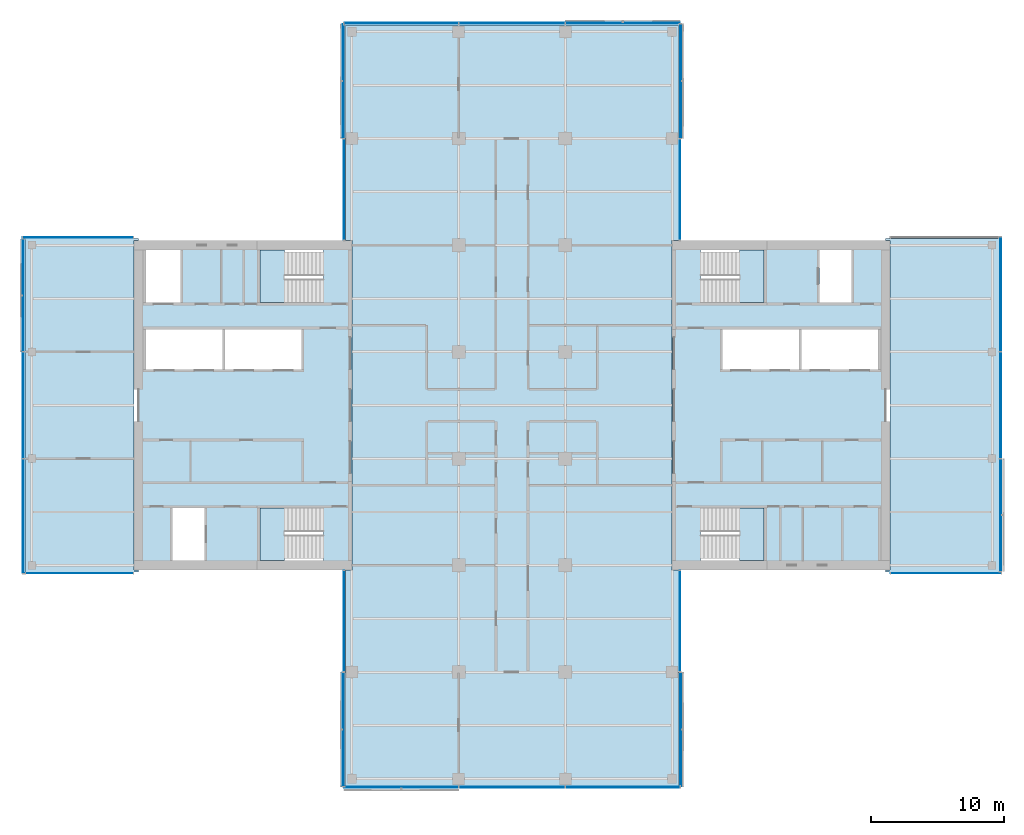
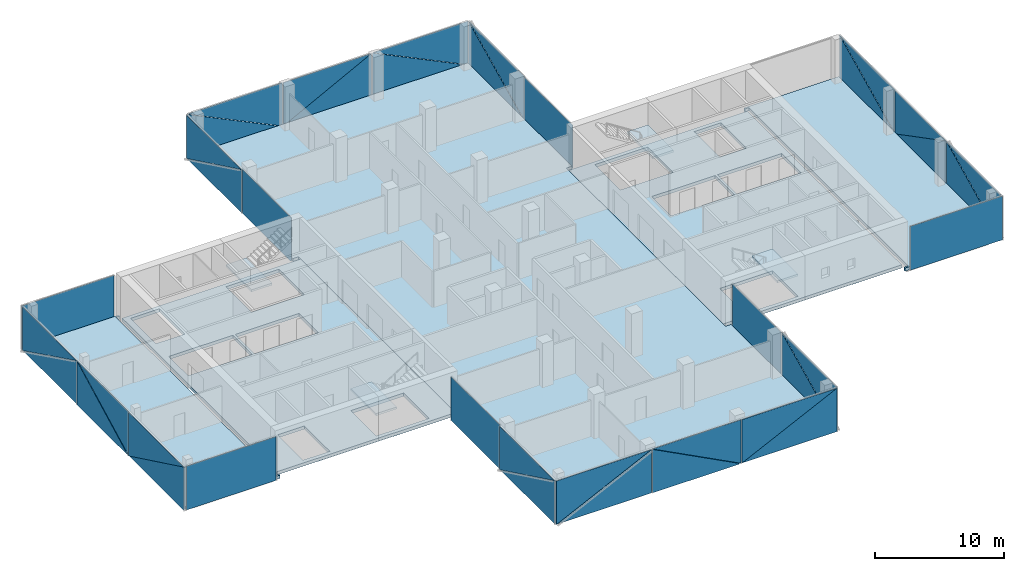
# One storey, part 12 of 22: 39 plates, 9 slabs, 19 elements without a shape of their own.
"""IFC4 building model written with IfcOpenShell, lengths in metres."""

import ifcopenshell
import ifcopenshell.guid

model = None  # the IFC model being written
_history = None  # IfcOwnerHistory: only IFC2X3 demands one
_inside = {}  # id of a spatial element -> (the spatial element, [elements in it])
_under = {}  # id of a project, library or spatial element -> (it, [spatial elements below it])
_declared = {}  # id of a project -> (the project, [libraries it declares])
_typed = {}  # id of a type object -> (the type object, [elements of that type])
_made_of = {}  # id of a material, layer set ... -> (it, [elements and type objects made of it])


def new_model(schema):
    """Start an empty IFC model of exactly this schema.

    Asked for "IFC4X3", IfcOpenShell would pick the latest addendum, in which some entities
    have other attributes; the version numbers below select the first issue.
    IFC2X3 requires an IfcOwnerHistory on every rooted entity: one is made here for all.
    """
    global model, _history
    if schema == "IFC4X3":
        model = ifcopenshell.file(schema_version=(4, 3, 0, 0))
    else:
        model = ifcopenshell.file(schema=schema)
    _inside.clear()
    _under.clear()
    _declared.clear()
    _typed.clear()
    _made_of.clear()
    _history = None
    if model.schema == "IFC2X3":
        org = make("IfcOrganization", Name="unknown")
        user = make(
            "IfcPersonAndOrganization",
            ThePerson=make("IfcPerson", FamilyName="unknown"),
            TheOrganization=org,
        )
        app = make(
            "IfcApplication",
            ApplicationDeveloper=org,
            Version="unknown",
            ApplicationFullName="unknown",
            ApplicationIdentifier="unknown",
        )
        _history = make(
            "IfcOwnerHistory",
            OwningUser=user,
            OwningApplication=app,
            ChangeAction="ADDED",
            CreationDate=0,
        )
    return model


def make(cls, **values):
    """One entity of the class cls with the attributes given. An attribute that is None is left unset."""
    return model.create_entity(
        cls, **{name: value for name, value in values.items() if value is not None}
    )


def rooted(cls, **values):
    """An entity with a GlobalId (a new one), such as an element, a storey or a relation."""
    return make(cls, GlobalId=ifcopenshell.guid.new(), OwnerHistory=_history, **values)


def si_unit(unit_type, name, prefix=None):
    """IfcSIUnit, for example si_unit("LENGTHUNIT", "METRE", prefix="MILLI")."""
    return make("IfcSIUnit", UnitType=unit_type, Prefix=prefix, Name=name)


def assignment(units):
    """IfcUnitAssignment: the units of a project."""
    return None if units is None else make("IfcUnitAssignment", Units=units)


def point(xyz):
    """IfcCartesianPoint."""
    return None if xyz is None else make("IfcCartesianPoint", Coordinates=xyz)


def direction(xyz):
    """IfcDirection."""
    return None if xyz is None else make("IfcDirection", DirectionRatios=xyz)


def frame(location, z_axis=None, x_axis=None):
    """IfcAxis2Placement3D, a coordinate frame: its origin and axes. An axis left out is left unset."""
    return make(
        "IfcAxis2Placement3D",
        Location=point(location),
        Axis=direction(z_axis),
        RefDirection=direction(x_axis),
    )


def origin():
    """The frame at (0, 0, 0) with its axes left unset."""
    return frame((0.0, 0.0, 0.0))


def place(relative_to, where):
    """IfcLocalPlacement: puts the frame where relative to a parent placement (None: the world)."""
    return make(
        "IfcLocalPlacement", PlacementRelTo=relative_to, RelativePlacement=where
    )


def context(
    kind, dimensions, precision=None, world=None, true_north=None, identifier=None
):
    """IfcGeometricRepresentationContext, for example the 3D "Model" context."""
    return make(
        "IfcGeometricRepresentationContext",
        ContextIdentifier=identifier,
        ContextType=kind,
        CoordinateSpaceDimension=dimensions,
        Precision=precision,
        WorldCoordinateSystem=world,
        TrueNorth=true_north,
    )


def subcontext(parent, identifier, kind, view, scale=None):
    """IfcGeometricRepresentationSubContext, for example "Body" below "Model"."""
    return make(
        "IfcGeometricRepresentationSubContext",
        ContextIdentifier=identifier,
        ContextType=kind,
        ParentContext=parent,
        TargetScale=scale,
        TargetView=view,
    )


def project(units=None, contexts=None):
    """IfcProject with its units and contexts."""
    return rooted(
        "IfcProject",
        Name="project",
        RepresentationContexts=contexts,
        UnitsInContext=assignment(units),
    )


def spatial(cls, under=None, at=None, **own):
    """A site, building, storey or space (cls), placed at a placement, below another one or the project."""
    s = rooted(cls, ObjectPlacement=at, **own)
    if under is not None:
        _under.setdefault(under.id(), (under, []))[1].append(s)
    return s


def polyline(points):
    """IfcPolyline through the points."""
    return make("IfcPolyline", Points=[point(p) for p in points])


def outline(outer, holes=None, kind="AREA"):
    """IfcArbitraryClosedProfileDef: a profile drawn as a closed curve; with holes, ...WithVoids."""
    if holes is None:
        return make("IfcArbitraryClosedProfileDef", ProfileType=kind, OuterCurve=outer)
    return make(
        "IfcArbitraryProfileDefWithVoids",
        ProfileType=kind,
        OuterCurve=outer,
        InnerCurves=holes,
    )


def extrude(swept, where, along, depth):
    """IfcExtrudedAreaSolid: the profile swept, set in the frame where, extruded along a direction by depth."""
    return make(
        "IfcExtrudedAreaSolid",
        SweptArea=swept,
        Position=where,
        ExtrudedDirection=direction(along),
        Depth=depth,
    )


def shape(context_of_items, identifier, shape_type, items):
    """IfcShapeRepresentation: the items that make up one representation, for example the "Body"."""
    return make(
        "IfcShapeRepresentation",
        ContextOfItems=context_of_items,
        RepresentationIdentifier=identifier,
        RepresentationType=shape_type,
        Items=items,
    )


def material(Name=None, Category=None):
    """IfcMaterial."""
    return make("IfcMaterial", Name=Name, Category=Category)


def layer(
    of_material, thickness, ventilated=None, Name=None, Category=None, Priority=None
):
    """IfcMaterialLayer: one layer of a wall or slab, of a material (None: an air gap)."""
    return make(
        "IfcMaterialLayer",
        Material=of_material,
        LayerThickness=thickness,
        IsVentilated=ventilated,
        Name=Name,
        Category=Category,
        Priority=Priority,
    )


def layer_set(layers, Name=None):
    """IfcMaterialLayerSet."""
    return make("IfcMaterialLayerSet", MaterialLayers=layers, LayerSetName=Name)


def made_of(thing, what):
    """Note that an element or type object is made of a material, layer set ...; save() writes the relation."""
    if what is not None:
        _made_of.setdefault(what.id(), (what, []))[1].append(thing)
    return thing


def type_object(cls, material=None, **own):
    """A type object (cls), such as IfcWallType, which elements share."""
    return made_of(rooted(cls, **own), material)


def element(
    cls,
    number,
    at=None,
    inside=None,
    cuts=None,
    type_object=None,
    material=None,
    context=None,
    identifier="Body",
    shape_type=None,
    held_by="IfcProductDefinitionShape",
    body=None,
    shapes=None,
    **own,
):
    """One element of the class cls, such as IfcWall. Its Tag is "e" and its number.

    at: its placement. inside: the storey or other place that contains it. cuts: it is an
    opening in that element (IfcRelVoidsElement). A single representation is given by context,
    identifier, shape_type and body (its items); several are given by shapes. held_by: the class
    of the entity that holds the representations. save() writes the other relations.
    """
    e = rooted(cls, Tag="e%d" % number, ObjectPlacement=at, **own)
    if body is not None:
        shapes = [shape(context, identifier, shape_type, body)]
    if shapes is not None:
        e.Representation = make(held_by, Representations=shapes)
    if inside is not None:
        _inside.setdefault(inside.id(), (inside, []))[1].append(e)
    if cuts is not None:
        rooted(
            "IfcRelVoidsElement", RelatingBuildingElement=cuts, RelatedOpeningElement=e
        )
    if type_object is not None:
        _typed.setdefault(type_object.id(), (type_object, []))[1].append(e)
    return made_of(e, material)


def aggregate(whole, parts):
    """IfcRelAggregates: a whole, such as a stair, and the parts it consists of."""
    return rooted("IfcRelAggregates", RelatingObject=whole, RelatedObjects=parts)


def save(model, path):
    """Write the relations noted so far, then the file.

    IfcRelAggregates (storeys below a building ...), IfcRelContainedInSpatialStructure (elements
    in a storey), IfcRelDefinesByType, IfcRelAssociatesMaterial and IfcRelDeclares: one each for
    every whole, place, type object, material and project.
    """
    for whole, parts in _under.values():
        aggregate(whole, parts)
    for where, things in _inside.values():
        rooted(
            "IfcRelContainedInSpatialStructure",
            RelatedElements=things,
            RelatingStructure=where,
        )
    for kind, things in _typed.values():
        rooted("IfcRelDefinesByType", RelatedObjects=things, RelatingType=kind)
    for what, things in _made_of.values():
        rooted("IfcRelAssociatesMaterial", RelatedObjects=things, RelatingMaterial=what)
    for by, libraries in _declared.values():
        rooted("IfcRelDeclares", RelatingContext=by, RelatedDefinitions=libraries)
    model.write(path)


model = new_model("IFC4")

# Units and contexts
model_context = context("Model", 3, precision=1e-05, world=origin(), true_north=direction((0.0, 1.0)))
body_context = subcontext(model_context, "Body", "Model", "MODEL_VIEW")
ifc_project = project(units=[si_unit("LENGTHUNIT", "METRE"), si_unit("AREAUNIT", "SQUARE_METRE"), si_unit("VOLUMEUNIT", "CUBIC_METRE"), si_unit("PLANEANGLEUNIT", "RADIAN"), si_unit("MASSUNIT", "GRAM", prefix="KILO")], contexts=[model_context])

# Site, building, storey
site_placement = place(None, origin())
site = spatial("IfcSite", under=ifc_project, at=site_placement, CompositionType="ELEMENT")
building_placement = place(site_placement, origin())
building = spatial("IfcBuilding", under=site, at=building_placement, Name="Crosswind Convention Tower", CompositionType="ELEMENT")
storey_placement = place(building_placement, frame((0.0, 0.0, 154.699951171875)))
storey = spatial("IfcBuildingStorey", under=building, at=storey_placement, Name="L32", CompositionType="ELEMENT", Elevation=154.699951171875)

# Slabs
ifc_material_1 = material(Name="Concrete C40/50", Category="concrete")
ifc_layer_1 = layer(ifc_material_1, 0.300048828125)
ifc_layer_set_1 = layer_set([ifc_layer_1], Name="Concrete C40/50")
slab_type_1 = type_object("IfcSlabType", Name="Composite floor slab 300", PredefinedType="FLOOR", material=ifc_layer_set_1)
slab_1_placement = place(storey_placement, frame((0.0, 0.0, -0.300048828125)))
element("IfcSlab", 1, at=slab_1_placement, inside=storey, type_object=slab_type_1, Name="Floor slab L32 part 1", PredefinedType="FLOOR", context=body_context, shape_type="SweptSolid", body=[
    extrude(outline(polyline([(97.0, 87.5), (89.0, 87.5), (88.5, 87.5), (88.5, 88.0), (88.5, 112.0), (88.5, 112.5), (89.0, 112.5), (97.0, 112.5), (97.0, 112.35009765625), (96.64990234375, 112.35009765625), (96.64990234375, 87.64990234375), (97.0, 87.64990234375), (97.0, 87.5)])), origin(), (0.0, 0.0, 1.0), 0.300048828125),
])
slab_2_placement = place(storey_placement, frame((0.0, 0.0, -0.300048828125)))
element("IfcSlab", 2, at=slab_2_placement, inside=storey, type_object=slab_type_1, Name="Floor slab L32 part 2", PredefinedType="FLOOR", context=body_context, shape_type="SweptSolid", body=[
    extrude(outline(polyline([(112.5, 87.64990234375), (113.0, 87.64990234375), (113.0, 112.35009765625), (112.5, 112.35009765625), (112.5, 128.0), (112.5, 128.5), (113.0, 128.5), (137.0, 128.5), (137.5, 128.5), (137.5, 128.0), (137.5, 112.35009765625), (137.0, 112.35009765625), (137.0, 87.64990234375), (137.5, 87.64990234375), (137.5, 72.0), (137.5, 71.5), (137.0, 71.5), (113.0, 71.5), (112.5, 71.5), (112.5, 72.0), (112.5, 87.64990234375)])), origin(), (0.0, 0.0, 1.0), 0.300048828125),
])
slab_3_placement = place(storey_placement, frame((0.0, 0.0, -0.300048828125)))
element("IfcSlab", 3, at=slab_3_placement, inside=storey, type_object=slab_type_1, Name="Floor slab L32 part 3", PredefinedType="FLOOR", context=body_context, shape_type="SweptSolid", body=[
    extrude(outline(polyline([(153.0, 112.5), (161.0, 112.5), (161.5, 112.5), (161.5, 112.0), (161.5, 88.0), (161.5, 87.5), (161.0, 87.5), (153.0, 87.5), (153.0, 87.64990234375), (153.35009765625, 87.64990234375), (153.35009765625, 112.35009765625), (153.0, 112.35009765625), (153.0, 112.5)])), origin(), (0.0, 0.0, 1.0), 0.300048828125),
])
ifc_layer_2 = layer(ifc_material_1, 0.300048828125)
ifc_layer_set_2 = layer_set([ifc_layer_2], Name="Concrete C40/50")
slab_type_2 = type_object("IfcSlabType", Name="Concrete core floor slab 300", PredefinedType="FLOOR", material=ifc_layer_set_2)
slab_4_placement = place(storey_placement, frame((0.0, 0.0, -0.300048828125)))
element("IfcSlab", 4, at=slab_4_placement, inside=storey, type_object=slab_type_2, Name="Core floor slab E L32", PredefinedType="FLOOR", context=body_context, shape_type="SweptSolid", body=[
    extrude(outline(polyline([(137.0, 88.0), (153.0, 88.0), (153.0, 112.0), (137.0, 112.0), (137.0, 88.0)]), holes=[polyline([(146.5, 102.699951171875), (146.5, 105.699951171875), (140.800048828125, 105.699951171875), (140.800048828125, 102.699951171875), (146.5, 102.699951171875)]), polyline([(152.449951171875, 102.699951171875), (152.449951171875, 105.699951171875), (146.699951171875, 105.699951171875), (146.699951171875, 102.699951171875), (152.449951171875, 102.699951171875)]), polyline([(150.449951171875, 107.699951171875), (150.449951171875, 111.64990234375), (148.050048828125, 111.64990234375), (148.050048828125, 107.699951171875), (150.449951171875, 107.699951171875)]), polyline([(143.89990234375, 107.699951171875), (143.89990234375, 111.64990234375), (139.14990234375, 111.64990234375), (139.14990234375, 107.699951171875), (143.89990234375, 107.699951171875)]), polyline([(143.89990234375, 88.35009765625), (143.89990234375, 92.300048828125), (139.14990234375, 92.300048828125), (139.14990234375, 88.35009765625), (143.89990234375, 88.35009765625)])]), origin(), (0.0, 0.0, 1.0), 0.300048828125),
])
slab_5_placement = place(storey_placement, frame((0.0, 0.0, -0.300048828125)))
element("IfcSlab", 5, at=slab_5_placement, inside=storey, type_object=slab_type_2, Name="Core floor slab W L32", PredefinedType="FLOOR", context=body_context, shape_type="SweptSolid", body=[
    extrude(outline(polyline([(97.0, 88.0), (113.0, 88.0), (113.0, 112.0), (97.0, 112.0), (97.0, 88.0)]), holes=[polyline([(109.199951171875, 102.699951171875), (109.199951171875, 105.699951171875), (103.5, 105.699951171875), (103.5, 102.699951171875), (109.199951171875, 102.699951171875)]), polyline([(103.300048828125, 102.699951171875), (103.300048828125, 105.699951171875), (97.550048828125, 105.699951171875), (97.550048828125, 102.699951171875), (103.300048828125, 102.699951171875)]), polyline([(101.949951171875, 88.35009765625), (101.949951171875, 92.300048828125), (99.550048828125, 92.300048828125), (99.550048828125, 88.35009765625), (101.949951171875, 88.35009765625)]), polyline([(100.14990234375, 107.699951171875), (100.14990234375, 111.64990234375), (97.550048828125, 111.64990234375), (97.550048828125, 107.699951171875), (100.14990234375, 107.699951171875)]), polyline([(110.85009765625, 88.35009765625), (110.85009765625, 92.300048828125), (106.10009765625, 92.300048828125), (106.10009765625, 88.35009765625), (110.85009765625, 88.35009765625)]), polyline([(110.85009765625, 107.699951171875), (110.85009765625, 111.64990234375), (106.10009765625, 111.64990234375), (106.10009765625, 107.699951171875), (110.85009765625, 107.699951171875)])]), origin(), (0.0, 0.0, 1.0), 0.300048828125),
])

# Stair, slab
stair_type = type_object("IfcStairType", Name="Exit stair 1800 wide, 2 flights of 11 risers", PredefinedType="HALF_TURN_STAIR", material=ifc_material_1)
stair_1_placement = place(storey_placement, origin())
stair_1 = element("IfcStair", 6, at=stair_1_placement, inside=storey, type_object=stair_type, Name="Exit stair ST1 L32", ObjectType="ST5", PredefinedType="HALF_TURN_STAIR")
ifc_layer_3 = layer(ifc_material_1, 0.199951171875)
ifc_layer_set_3 = layer_set([ifc_layer_3], Name="Concrete C40/50")
slab_type_3 = type_object("IfcSlabType", Name="Stair landing 200", PredefinedType="LANDING", material=ifc_layer_set_3)
slab_6_placement = place(storey_placement, frame((0.0, 0.0, 1.900146484375)))
slab_6 = element("IfcSlab", 7, at=slab_6_placement, type_object=slab_type_3, Name="ST1 landing 1", PredefinedType="LANDING", context=body_context, shape_type="SweptSolid", body=[
    extrude(outline(polyline([(143.89990234375, 107.699951171875), (143.89990234375, 111.64990234375), (142.050048828125, 111.64990234375), (142.050048828125, 107.699951171875), (143.89990234375, 107.699951171875)])), origin(), (0.0, 0.0, 1.0), 0.199951171875),
])
aggregate(stair_1, [slab_6])

stair_2_placement = place(storey_placement, origin())
stair_2 = element("IfcStair", 8, at=stair_2_placement, inside=storey, type_object=stair_type, Name="Exit stair ST2 L32", ObjectType="ST5", PredefinedType="HALF_TURN_STAIR")
slab_7_placement = place(storey_placement, frame((0.0, 0.0, 1.900146484375)))
slab_7 = element("IfcSlab", 9, at=slab_7_placement, type_object=slab_type_3, Name="ST2 landing 1", PredefinedType="LANDING", context=body_context, shape_type="SweptSolid", body=[
    extrude(outline(polyline([(143.89990234375, 88.35009765625), (143.89990234375, 92.300048828125), (142.050048828125, 92.300048828125), (142.050048828125, 88.35009765625), (143.89990234375, 88.35009765625)])), origin(), (0.0, 0.0, 1.0), 0.199951171875),
])
aggregate(stair_2, [slab_7])

stair_3_placement = place(storey_placement, origin())
stair_3 = element("IfcStair", 10, at=stair_3_placement, inside=storey, type_object=stair_type, Name="Exit stair ST3 L32", ObjectType="ST5", PredefinedType="HALF_TURN_STAIR")
slab_8_placement = place(storey_placement, frame((0.0, 0.0, 1.900146484375)))
slab_8 = element("IfcSlab", 11, at=slab_8_placement, type_object=slab_type_3, Name="ST3 landing 1", PredefinedType="LANDING", context=body_context, shape_type="SweptSolid", body=[
    extrude(outline(polyline([(107.949951171875, 88.35009765625), (107.949951171875, 92.300048828125), (106.10009765625, 92.300048828125), (106.10009765625, 88.35009765625), (107.949951171875, 88.35009765625)])), origin(), (0.0, 0.0, 1.0), 0.199951171875),
])
aggregate(stair_3, [slab_8])

stair_4_placement = place(storey_placement, origin())
stair_4 = element("IfcStair", 12, at=stair_4_placement, inside=storey, type_object=stair_type, Name="Exit stair ST4 L32", ObjectType="ST5", PredefinedType="HALF_TURN_STAIR")
slab_9_placement = place(storey_placement, frame((0.0, 0.0, 1.900146484375)))
slab_9 = element("IfcSlab", 13, at=slab_9_placement, type_object=slab_type_3, Name="ST4 landing 1", PredefinedType="LANDING", context=body_context, shape_type="SweptSolid", body=[
    extrude(outline(polyline([(107.949951171875, 107.699951171875), (107.949951171875, 111.64990234375), (106.10009765625, 111.64990234375), (106.10009765625, 107.699951171875), (107.949951171875, 107.699951171875)])), origin(), (0.0, 0.0, 1.0), 0.199951171875),
])
aggregate(stair_4, [slab_9])

# Curtain wall, plate
ifc_material_2 = material(Name="Aluminium unitised curtain wall", Category="aluminium")
curtain_wall_type_1 = type_object("IfcCurtainWallType", Name="CORE END SLOT WALL 160", PredefinedType="USERDEFINED", material=ifc_material_2)
curtain_wall_1_placement = place(storey_placement, origin())
curtain_wall_1 = element("IfcCurtainWall", 14, at=curtain_wall_1_placement, inside=storey, type_object=curtain_wall_type_1, Name="CW6 L32 N-E.1-1 slot", ObjectType="UNITISED", PredefinedType="USERDEFINED")
ifc_material_3 = material(Name="Laminated insulating glass unit", Category="glass")
ifc_layer_4 = layer(ifc_material_3, 0.02587890625)
ifc_layer_set_4 = layer_set([ifc_layer_4], Name="TRIANGULAR GLASS PANEL 26")
plate_type_1 = type_object("IfcPlateType", Name="TRIANGULAR GLASS PANEL 26", PredefinedType="CURTAIN_PANEL", material=ifc_layer_set_4)
plate_1_placement = place(storey_placement, frame((137.60693359375, 112.39990234375, -0.300048828125), z_axis=(0.999999915215, 0.0, 0.000411788894), x_axis=(0.0, 1.0, 0.0)))
plate_1 = element("IfcPlate", 15, at=plate_1_placement, type_object=plate_type_1, Name="CW6 panel 1.1", PredefinedType="CURTAIN_PANEL", context=body_context, shape_type="SweptSolid", body=[
    extrude(outline(polyline([(0.0, 0.0), (7.550048828125, 0.0), (7.550048828125, 4.1501468362454075), (0.0, 4.1501468362454075), (0.0, 0.0)])), origin(), (0.0, 0.0, -1.0), 0.02587890625),
])
aggregate(curtain_wall_1, [plate_1])

curtain_wall_2_placement = place(storey_placement, origin())
curtain_wall_2 = element("IfcCurtainWall", 16, at=curtain_wall_2_placement, inside=storey, type_object=curtain_wall_type_1, Name="CW6 L32 N-W.1-2 slot", ObjectType="UNITISED", PredefinedType="USERDEFINED")
plate_2_placement = place(storey_placement, frame((112.39306640625, 119.949951171875, -0.300048828125), z_axis=(-0.999999915215, 0.0, 0.000411788894), x_axis=(0.0, -1.0, 0.0)))
plate_2 = element("IfcPlate", 17, at=plate_2_placement, type_object=plate_type_1, Name="CW6 panel 1.1", PredefinedType="CURTAIN_PANEL", context=body_context, shape_type="SweptSolid", body=[
    extrude(outline(polyline([(0.0, 0.0), (7.550048828125, 0.0), (7.550048828125, 4.1501468362454075), (0.0, 4.1501468362454075), (0.0, 0.0)])), origin(), (0.0, 0.0, -1.0), 0.02587890625),
])
aggregate(curtain_wall_2, [plate_2])

curtain_wall_3_placement = place(storey_placement, origin())
curtain_wall_3 = element("IfcCurtainWall", 18, at=curtain_wall_3_placement, inside=storey, type_object=curtain_wall_type_1, Name="CW6 L32 W-N.2-1 slot", ObjectType="UNITISED", PredefinedType="USERDEFINED")
plate_3_placement = place(storey_placement, frame((96.60009765625, 112.60693359375, -0.300048828125), z_axis=(0.0, 0.999999915215, 0.000411788894), x_axis=(-1.0, 0.0, 0.0)))
plate_3 = element("IfcPlate", 19, at=plate_3_placement, type_object=plate_type_1, Name="CW6 panel 1.1", PredefinedType="CURTAIN_PANEL", context=body_context, shape_type="SweptSolid", body=[
    extrude(outline(polyline([(0.0, 0.0), (8.27001953125, 0.0), (8.27001953125, 4.1501468362454075), (0.0, 4.1501468362454075), (0.0, 0.0)])), origin(), (0.0, 0.0, -1.0), 0.02587890625),
])
aggregate(curtain_wall_3, [plate_3])

curtain_wall_4_placement = place(storey_placement, origin())
curtain_wall_4 = element("IfcCurtainWall", 20, at=curtain_wall_4_placement, inside=storey, type_object=curtain_wall_type_1, Name="CW6 L32 W-S.1-1 slot", ObjectType="UNITISED", PredefinedType="USERDEFINED")
plate_4_placement = place(storey_placement, frame((88.550048828125, 87.39306640625, -0.300048828125), z_axis=(0.0, -0.999999915215, 0.000411788894), x_axis=(1.0, 0.0, 0.0)))
plate_4 = element("IfcPlate", 21, at=plate_4_placement, type_object=plate_type_1, Name="CW6 panel 1.1", PredefinedType="CURTAIN_PANEL", context=body_context, shape_type="SweptSolid", body=[
    extrude(outline(polyline([(0.0, 0.0), (8.050048828125, 0.0), (8.050048828125, 4.150146836245408), (0.0, 4.150146836245408), (0.0, 0.0)])), origin(), (0.0, 0.0, -1.0), 0.02587890625),
])
aggregate(curtain_wall_4, [plate_4])

curtain_wall_5_placement = place(storey_placement, origin())
curtain_wall_5 = element("IfcCurtainWall", 22, at=curtain_wall_5_placement, inside=storey, type_object=curtain_wall_type_1, Name="CW6 L32 S-W.1-1 slot", ObjectType="UNITISED", PredefinedType="USERDEFINED")
plate_5_placement = place(storey_placement, frame((112.39306640625, 87.60009765625, -0.300048828125), z_axis=(-0.999999915215, 0.0, 0.000411788894), x_axis=(0.0, -1.0, 0.0)))
plate_5 = element("IfcPlate", 23, at=plate_5_placement, type_object=plate_type_1, Name="CW6 panel 1.1", PredefinedType="CURTAIN_PANEL", context=body_context, shape_type="SweptSolid", body=[
    extrude(outline(polyline([(0.0, 0.0), (7.550048828125, 0.0), (7.550048828125, 4.1501468362454075), (0.0, 4.1501468362454075), (0.0, 0.0)])), origin(), (0.0, 0.0, -1.0), 0.02587890625),
])
aggregate(curtain_wall_5, [plate_5])

curtain_wall_6_placement = place(storey_placement, origin())
curtain_wall_6 = element("IfcCurtainWall", 24, at=curtain_wall_6_placement, inside=storey, type_object=curtain_wall_type_1, Name="CW6 L32 S-E.1-2 slot", ObjectType="UNITISED", PredefinedType="USERDEFINED")
plate_6_placement = place(storey_placement, frame((137.60693359375, 80.050048828125, -0.300048828125), z_axis=(0.999999915215, 0.0, 0.000411788894), x_axis=(0.0, 1.0, 0.0)))
plate_6 = element("IfcPlate", 25, at=plate_6_placement, type_object=plate_type_1, Name="CW6 panel 1.1", PredefinedType="CURTAIN_PANEL", context=body_context, shape_type="SweptSolid", body=[
    extrude(outline(polyline([(0.0, 0.0), (7.550048828125, 0.0), (7.550048828125, 4.1501468362454075), (0.0, 4.1501468362454075), (0.0, 0.0)])), origin(), (0.0, 0.0, -1.0), 0.02587890625),
])
aggregate(curtain_wall_6, [plate_6])

curtain_wall_7_placement = place(storey_placement, origin())
curtain_wall_7 = element("IfcCurtainWall", 26, at=curtain_wall_7_placement, inside=storey, type_object=curtain_wall_type_1, Name="CW6 L32 E-S.2-1 slot", ObjectType="UNITISED", PredefinedType="USERDEFINED")
plate_7_placement = place(storey_placement, frame((153.39990234375, 87.39306640625, -0.300048828125), z_axis=(0.0, -0.999999915215, 0.000411788894), x_axis=(1.0, 0.0, 0.0)))
plate_7 = element("IfcPlate", 27, at=plate_7_placement, type_object=plate_type_1, Name="CW6 panel 1.1", PredefinedType="CURTAIN_PANEL", context=body_context, shape_type="SweptSolid", body=[
    extrude(outline(polyline([(0.0, 0.0), (8.27001953125, 0.0), (8.27001953125, 4.1501468362454075), (0.0, 4.1501468362454075), (0.0, 0.0)])), origin(), (0.0, 0.0, -1.0), 0.02587890625),
])
aggregate(curtain_wall_7, [plate_7])

# Curtain wall, plates
curtain_wall_type_2 = type_object("IfcCurtainWallType", Name="OFFICE UNITISED WALL 220", PredefinedType="USERDEFINED", material=ifc_material_2)
curtain_wall_8_placement = place(storey_placement, origin())
curtain_wall_8 = element("IfcCurtainWall", 28, at=curtain_wall_8_placement, inside=storey, type_object=curtain_wall_type_2, Name="CW3 L32 E-TIP 1", ObjectType="UNITISED", PredefinedType="USERDEFINED")
ifc_layer_5 = layer(ifc_material_3, 0.031982421875)
ifc_layer_set_5 = layer_set([ifc_layer_5], Name="TRIANGULAR GLASS PANEL 32")
plate_type_2 = type_object("IfcPlateType", Name="TRIANGULAR GLASS PANEL 32", PredefinedType="CURTAIN_PANEL", material=ifc_layer_set_5)
plate_8_placement = place(storey_placement, frame((161.642822265625, 95.965087890625, -0.300048828125), z_axis=(0.999999913924, 0.0, 0.000414913129), x_axis=(-0.000414913129, 0.0, 0.999999913924)))
plate_8 = element("IfcPlate", 29, at=plate_8_placement, type_object=plate_type_2, Name="CW3 panel 1.1", PredefinedType="CURTAIN_PANEL", context=body_context, shape_type="SweptSolid", body=[
    extrude(outline(polyline([(0.0, 0.0), (4.118896838915043, 0.0), (0.0, 8.372314453125), (0.0, 0.0)])), origin(), (0.0, 0.0, -1.0), 0.031982421875),
])
plate_9_placement = place(storey_placement, frame((161.67529296875, 87.570068359375, 3.830078125), z_axis=(0.99999993676, 0.0, 0.000355639833), x_axis=(0.000355639833, 0.0, -0.99999993676)))
plate_9 = element("IfcPlate", 30, at=plate_9_placement, type_object=plate_type_2, Name="CW3 panel 1.2", PredefinedType="CURTAIN_PANEL", context=body_context, shape_type="SweptSolid", body=[
    extrude(outline(polyline([(0.0, 0.0), (4.1188967448534015, 0.0), (0.0, 8.372314453125), (0.0, 0.0)])), origin(), (0.0, 0.0, -1.0), 0.031982421875),
])
plate_10_placement = place(storey_placement, frame((161.64111328125, 103.965087890625, 3.830078125), z_axis=(0.999999913913, 0.0, 0.000414937724), x_axis=(0.0, -1.0, 0.0)))
plate_10 = element("IfcPlate", 31, at=plate_10_placement, type_object=plate_type_2, Name="CW3 panel 2.1", PredefinedType="CURTAIN_PANEL", context=body_context, shape_type="SweptSolid", body=[
    extrude(outline(polyline([(0.0, 0.0), (7.908447265625, 0.0), (0.0, 4.118652698311059), (0.0, 0.0)])), origin(), (0.0, 0.0, -1.0), 0.031982421875),
])
plate_11_placement = place(storey_placement, frame((161.6767578125, 96.034912109375, -0.300048828125), z_axis=(0.99999993676, 0.0, 0.000355639833), x_axis=(0.0, 1.0, 0.0)))
plate_11 = element("IfcPlate", 32, at=plate_11_placement, type_object=plate_type_2, Name="CW3 panel 2.2", PredefinedType="CURTAIN_PANEL", context=body_context, shape_type="SweptSolid", body=[
    extrude(outline(polyline([(0.0, 0.0), (7.908447265625, 0.0), (0.0, 4.1188967448534015), (0.0, 0.0)])), origin(), (0.0, 0.0, -1.0), 0.031982421875),
])
plate_12_placement = place(storey_placement, frame((161.642822265625, 112.590087890625, -0.300048828125), z_axis=(0.999999913924, 0.0, 0.000414913129), x_axis=(-0.000414913129, 0.0, 0.999999913924)))
plate_12 = element("IfcPlate", 33, at=plate_12_placement, type_object=plate_type_2, Name="CW3 panel 3.1", PredefinedType="CURTAIN_PANEL", context=body_context, shape_type="SweptSolid", body=[
    extrude(outline(polyline([(0.0, 0.0), (4.118896838915043, 0.0), (0.0, 8.531982421874998), (0.0, 0.0)])), origin(), (0.0, 0.0, -1.0), 0.031982421875),
])
plate_13_placement = place(storey_placement, frame((161.67529296875, 104.034912109375, 3.830078125), z_axis=(0.99999993676, 0.0, 0.000355639833), x_axis=(0.000355639833, 0.0, -0.99999993676)))
plate_13 = element("IfcPlate", 34, at=plate_13_placement, type_object=plate_type_2, Name="CW3 panel 3.2", PredefinedType="CURTAIN_PANEL", context=body_context, shape_type="SweptSolid", body=[
    extrude(outline(polyline([(0.0, 0.0), (4.1188967448534015, 0.0), (0.0, 8.531982421875), (0.0, 0.0)])), origin(), (0.0, 0.0, -1.0), 0.031982421875),
])
aggregate(curtain_wall_8, [plate_8, plate_9, plate_10, plate_11, plate_12, plate_13])

curtain_wall_9_placement = place(storey_placement, origin())
curtain_wall_9 = element("IfcCurtainWall", 35, at=curtain_wall_9_placement, inside=storey, type_object=curtain_wall_type_2, Name="CW3 L32 N-E 1", ObjectType="UNITISED", PredefinedType="USERDEFINED")
plate_14_placement = place(storey_placement, frame((137.642822265625, 128.574951171875, -0.300048828125), z_axis=(0.999999913924, 0.0, 0.000414913129), x_axis=(-0.000414913129, 0.0, 0.999999913924)))
plate_14 = element("IfcPlate", 36, at=plate_14_placement, type_object=plate_type_2, Name="CW3 panel 1.1", PredefinedType="CURTAIN_PANEL", context=body_context, shape_type="SweptSolid", body=[
    extrude(outline(polyline([(0.0, 0.0), (4.118896838915043, 0.0), (0.0, 8.517089843749998), (0.0, 0.0)])), origin(), (0.0, 0.0, -1.0), 0.031982421875),
])
plate_15_placement = place(storey_placement, frame((137.67529296875, 120.034912109375, 3.830078125), z_axis=(0.99999993676, 0.0, 0.000355639833), x_axis=(0.000355639833, 0.0, -0.99999993676)))
plate_15 = element("IfcPlate", 37, at=plate_15_placement, type_object=plate_type_2, Name="CW3 panel 1.2", PredefinedType="CURTAIN_PANEL", context=body_context, shape_type="SweptSolid", body=[
    extrude(outline(polyline([(0.0, 0.0), (4.1188967448534015, 0.0), (0.0, 8.51708984375), (0.0, 0.0)])), origin(), (0.0, 0.0, -1.0), 0.031982421875),
])
aggregate(curtain_wall_9, [plate_14, plate_15])

curtain_wall_10_placement = place(storey_placement, origin())
curtain_wall_10 = element("IfcCurtainWall", 38, at=curtain_wall_10_placement, inside=storey, type_object=curtain_wall_type_2, Name="CW3 L32 N-TIP 1", ObjectType="UNITISED", PredefinedType="USERDEFINED")
plate_16_placement = place(storey_placement, frame((129.034912109375, 128.642822265625, -0.300048828125), z_axis=(0.0, 0.999999913924, 0.000414913129), x_axis=(0.0, -0.000414913129, 0.999999913924)))
plate_16 = element("IfcPlate", 39, at=plate_16_placement, type_object=plate_type_2, Name="CW3 panel 1.1", PredefinedType="CURTAIN_PANEL", context=body_context, shape_type="SweptSolid", body=[
    extrude(outline(polyline([(0.0, 0.0), (4.118896838915043, 0.0), (0.0, 8.517089843749998), (0.0, 0.0)])), origin(), (0.0, 0.0, -1.0), 0.031982421875),
])
plate_17_placement = place(storey_placement, frame((137.574951171875, 128.67529296875, 3.830078125), z_axis=(0.0, 0.99999993676, 0.000355639833), x_axis=(0.0, 0.000355639833, -0.99999993676)))
plate_17 = element("IfcPlate", 40, at=plate_17_placement, type_object=plate_type_2, Name="CW3 panel 1.2", PredefinedType="CURTAIN_PANEL", context=body_context, shape_type="SweptSolid", body=[
    extrude(outline(polyline([(0.0, 0.0), (4.1188967448534015, 0.0), (0.0, 8.51708984375), (0.0, 0.0)])), origin(), (0.0, 0.0, -1.0), 0.031982421875),
])
plate_18_placement = place(storey_placement, frame((121.034912109375, 128.64111328125, 3.830078125), z_axis=(0.0, 0.999999913913, 0.000414937724), x_axis=(1.0, 0.0, 0.0)))
plate_18 = element("IfcPlate", 41, at=plate_18_placement, type_object=plate_type_2, Name="CW3 panel 2.1", PredefinedType="CURTAIN_PANEL", context=body_context, shape_type="SweptSolid", body=[
    extrude(outline(polyline([(0.0, 0.0), (7.908447265625, 0.0), (0.0, 4.118652698311059), (0.0, 0.0)])), origin(), (0.0, 0.0, -1.0), 0.031982421875),
])
plate_19_placement = place(storey_placement, frame((128.965087890625, 128.6767578125, -0.300048828125), z_axis=(0.0, 0.99999993676, 0.000355639833), x_axis=(-1.0, 0.0, 0.0)))
plate_19 = element("IfcPlate", 42, at=plate_19_placement, type_object=plate_type_2, Name="CW3 panel 2.2", PredefinedType="CURTAIN_PANEL", context=body_context, shape_type="SweptSolid", body=[
    extrude(outline(polyline([(0.0, 0.0), (7.908447265625, 0.0), (0.0, 4.1188967448534015), (0.0, 0.0)])), origin(), (0.0, 0.0, -1.0), 0.031982421875),
])
plate_20_placement = place(storey_placement, frame((112.425048828125, 128.642822265625, -0.300048828125), z_axis=(0.0, 0.999999913924, 0.000414913129), x_axis=(0.0, -0.000414913129, 0.999999913924)))
plate_20 = element("IfcPlate", 43, at=plate_20_placement, type_object=plate_type_2, Name="CW3 panel 3.1", PredefinedType="CURTAIN_PANEL", context=body_context, shape_type="SweptSolid", body=[
    extrude(outline(polyline([(0.0, 0.0), (4.118896838915043, 0.0), (0.0, 8.517089843749998), (0.0, 0.0)])), origin(), (0.0, 0.0, -1.0), 0.031982421875),
])
plate_21_placement = place(storey_placement, frame((120.965087890625, 128.67529296875, 3.830078125), z_axis=(0.0, 0.99999993676, 0.000355639833), x_axis=(0.0, 0.000355639833, -0.99999993676)))
plate_21 = element("IfcPlate", 44, at=plate_21_placement, type_object=plate_type_2, Name="CW3 panel 3.2", PredefinedType="CURTAIN_PANEL", context=body_context, shape_type="SweptSolid", body=[
    extrude(outline(polyline([(0.0, 0.0), (4.1188967448534015, 0.0), (0.0, 8.51708984375), (0.0, 0.0)])), origin(), (0.0, 0.0, -1.0), 0.031982421875),
])
aggregate(curtain_wall_10, [plate_16, plate_17, plate_18, plate_19, plate_20, plate_21])

curtain_wall_11_placement = place(storey_placement, origin())
curtain_wall_11 = element("IfcCurtainWall", 45, at=curtain_wall_11_placement, inside=storey, type_object=curtain_wall_type_2, Name="CW3 L32 N-W 1", ObjectType="UNITISED", PredefinedType="USERDEFINED")
plate_22_placement = place(storey_placement, frame((112.357177734375, 120.034912109375, -0.300048828125), z_axis=(-0.999999913924, 0.0, 0.000414913129), x_axis=(0.000414913129, 0.0, 0.999999913924)))
plate_22 = element("IfcPlate", 46, at=plate_22_placement, type_object=plate_type_2, Name="CW3 panel 1.1", PredefinedType="CURTAIN_PANEL", context=body_context, shape_type="SweptSolid", body=[
    extrude(outline(polyline([(0.0, 0.0), (4.118896838915043, 0.0), (0.0, 8.517089843749998), (0.0, 0.0)])), origin(), (0.0, 0.0, -1.0), 0.031982421875),
])
plate_23_placement = place(storey_placement, frame((112.32470703125, 128.574951171875, 3.830078125), z_axis=(-0.99999993676, 0.0, 0.000355639833), x_axis=(-0.000355639833, 0.0, -0.99999993676)))
plate_23 = element("IfcPlate", 47, at=plate_23_placement, type_object=plate_type_2, Name="CW3 panel 1.2", PredefinedType="CURTAIN_PANEL", context=body_context, shape_type="SweptSolid", body=[
    extrude(outline(polyline([(0.0, 0.0), (4.1188967448534015, 0.0), (0.0, 8.51708984375), (0.0, 0.0)])), origin(), (0.0, 0.0, -1.0), 0.031982421875),
])
aggregate(curtain_wall_11, [plate_22, plate_23])

curtain_wall_12_placement = place(storey_placement, origin())
curtain_wall_12 = element("IfcCurtainWall", 48, at=curtain_wall_12_placement, inside=storey, type_object=curtain_wall_type_2, Name="CW3 L32 W-TIP 1", ObjectType="UNITISED", PredefinedType="USERDEFINED")
plate_24_placement = place(storey_placement, frame((88.357177734375, 104.034912109375, -0.300048828125), z_axis=(-0.999999913924, 0.0, 0.000414913129), x_axis=(0.000414913129, 0.0, 0.999999913924)))
plate_24 = element("IfcPlate", 49, at=plate_24_placement, type_object=plate_type_2, Name="CW3 panel 1.1", PredefinedType="CURTAIN_PANEL", context=body_context, shape_type="SweptSolid", body=[
    extrude(outline(polyline([(0.0, 0.0), (4.118896838915043, 0.0), (0.0, 8.372314453125), (0.0, 0.0)])), origin(), (0.0, 0.0, -1.0), 0.031982421875),
])
plate_25_placement = place(storey_placement, frame((88.32470703125, 112.429931640625, 3.830078125), z_axis=(-0.99999993676, 0.0, 0.000355639833), x_axis=(-0.000355639833, 0.0, -0.99999993676)))
plate_25 = element("IfcPlate", 50, at=plate_25_placement, type_object=plate_type_2, Name="CW3 panel 1.2", PredefinedType="CURTAIN_PANEL", context=body_context, shape_type="SweptSolid", body=[
    extrude(outline(polyline([(0.0, 0.0), (4.1188967448534015, 0.0), (0.0, 8.372314453125), (0.0, 0.0)])), origin(), (0.0, 0.0, -1.0), 0.031982421875),
])
plate_26_placement = place(storey_placement, frame((88.35888671875, 96.034912109375, 3.830078125), z_axis=(-0.999999913913, 0.0, 0.000414937724), x_axis=(0.0, 1.0, 0.0)))
plate_26 = element("IfcPlate", 51, at=plate_26_placement, type_object=plate_type_2, Name="CW3 panel 2.1", PredefinedType="CURTAIN_PANEL", context=body_context, shape_type="SweptSolid", body=[
    extrude(outline(polyline([(0.0, 0.0), (7.908447265625, 0.0), (0.0, 4.118652698311059), (0.0, 0.0)])), origin(), (0.0, 0.0, -1.0), 0.031982421875),
])
plate_27_placement = place(storey_placement, frame((88.3232421875, 103.965087890625, -0.300048828125), z_axis=(-0.99999993676, 0.0, 0.000355639833), x_axis=(0.0, -1.0, 0.0)))
plate_27 = element("IfcPlate", 52, at=plate_27_placement, type_object=plate_type_2, Name="CW3 panel 2.2", PredefinedType="CURTAIN_PANEL", context=body_context, shape_type="SweptSolid", body=[
    extrude(outline(polyline([(0.0, 0.0), (7.908447265625, 0.0), (0.0, 4.1188967448534015), (0.0, 0.0)])), origin(), (0.0, 0.0, -1.0), 0.031982421875),
])
plate_28_placement = place(storey_placement, frame((88.357177734375, 87.409912109375, -0.300048828125), z_axis=(-0.999999913924, 0.0, 0.000414913129), x_axis=(0.000414913129, 0.0, 0.999999913924)))
plate_28 = element("IfcPlate", 53, at=plate_28_placement, type_object=plate_type_2, Name="CW3 panel 3.1", PredefinedType="CURTAIN_PANEL", context=body_context, shape_type="SweptSolid", body=[
    extrude(outline(polyline([(0.0, 0.0), (4.118896838915043, 0.0), (0.0, 8.531982421874998), (0.0, 0.0)])), origin(), (0.0, 0.0, -1.0), 0.031982421875),
])
plate_29_placement = place(storey_placement, frame((88.32470703125, 95.965087890625, 3.830078125), z_axis=(-0.99999993676, 0.0, 0.000355639833), x_axis=(-0.000355639833, 0.0, -0.99999993676)))
plate_29 = element("IfcPlate", 54, at=plate_29_placement, type_object=plate_type_2, Name="CW3 panel 3.2", PredefinedType="CURTAIN_PANEL", context=body_context, shape_type="SweptSolid", body=[
    extrude(outline(polyline([(0.0, 0.0), (4.1188967448534015, 0.0), (0.0, 8.531982421875), (0.0, 0.0)])), origin(), (0.0, 0.0, -1.0), 0.031982421875),
])
aggregate(curtain_wall_12, [plate_24, plate_25, plate_26, plate_27, plate_28, plate_29])

curtain_wall_13_placement = place(storey_placement, origin())
curtain_wall_13 = element("IfcCurtainWall", 55, at=curtain_wall_13_placement, inside=storey, type_object=curtain_wall_type_2, Name="CW3 L32 S-W 1", ObjectType="UNITISED", PredefinedType="USERDEFINED")
plate_30_placement = place(storey_placement, frame((112.357177734375, 71.425048828125, -0.300048828125), z_axis=(-0.999999913924, 0.0, 0.000414913129), x_axis=(0.000414913129, 0.0, 0.999999913924)))
plate_30 = element("IfcPlate", 56, at=plate_30_placement, type_object=plate_type_2, Name="CW3 panel 1.1", PredefinedType="CURTAIN_PANEL", context=body_context, shape_type="SweptSolid", body=[
    extrude(outline(polyline([(0.0, 0.0), (4.118896838915043, 0.0), (0.0, 8.517089843749998), (0.0, 0.0)])), origin(), (0.0, 0.0, -1.0), 0.031982421875),
])
plate_31_placement = place(storey_placement, frame((112.32470703125, 79.965087890625, 3.830078125), z_axis=(-0.99999993676, 0.0, 0.000355639833), x_axis=(-0.000355639833, 0.0, -0.99999993676)))
plate_31 = element("IfcPlate", 57, at=plate_31_placement, type_object=plate_type_2, Name="CW3 panel 1.2", PredefinedType="CURTAIN_PANEL", context=body_context, shape_type="SweptSolid", body=[
    extrude(outline(polyline([(0.0, 0.0), (4.1188967448534015, 0.0), (0.0, 8.51708984375), (0.0, 0.0)])), origin(), (0.0, 0.0, -1.0), 0.031982421875),
])
aggregate(curtain_wall_13, [plate_30, plate_31])

curtain_wall_14_placement = place(storey_placement, origin())
curtain_wall_14 = element("IfcCurtainWall", 58, at=curtain_wall_14_placement, inside=storey, type_object=curtain_wall_type_2, Name="CW3 L32 S-TIP 1", ObjectType="UNITISED", PredefinedType="USERDEFINED")
plate_32_placement = place(storey_placement, frame((120.965087890625, 71.357177734375, -0.300048828125), z_axis=(0.0, -0.999999913924, 0.000414913129), x_axis=(0.0, 0.000414913129, 0.999999913924)))
plate_32 = element("IfcPlate", 59, at=plate_32_placement, type_object=plate_type_2, Name="CW3 panel 1.1", PredefinedType="CURTAIN_PANEL", context=body_context, shape_type="SweptSolid", body=[
    extrude(outline(polyline([(0.0, 0.0), (4.118896838915043, 0.0), (0.0, 8.517089843749998), (0.0, 0.0)])), origin(), (0.0, 0.0, -1.0), 0.031982421875),
])
plate_33_placement = place(storey_placement, frame((112.425048828125, 71.32470703125, 3.830078125), z_axis=(0.0, -0.99999993676, 0.000355639833), x_axis=(0.0, -0.000355639833, -0.99999993676)))
plate_33 = element("IfcPlate", 60, at=plate_33_placement, type_object=plate_type_2, Name="CW3 panel 1.2", PredefinedType="CURTAIN_PANEL", context=body_context, shape_type="SweptSolid", body=[
    extrude(outline(polyline([(0.0, 0.0), (4.1188967448534015, 0.0), (0.0, 8.51708984375), (0.0, 0.0)])), origin(), (0.0, 0.0, -1.0), 0.031982421875),
])
plate_34_placement = place(storey_placement, frame((128.965087890625, 71.35888671875, 3.830078125), z_axis=(0.0, -0.999999913913, 0.000414937724), x_axis=(-1.0, 0.0, 0.0)))
plate_34 = element("IfcPlate", 61, at=plate_34_placement, type_object=plate_type_2, Name="CW3 panel 2.1", PredefinedType="CURTAIN_PANEL", context=body_context, shape_type="SweptSolid", body=[
    extrude(outline(polyline([(0.0, 0.0), (7.908447265625, 0.0), (0.0, 4.118652698311059), (0.0, 0.0)])), origin(), (0.0, 0.0, -1.0), 0.031982421875),
])
plate_35_placement = place(storey_placement, frame((121.034912109375, 71.3232421875, -0.300048828125), z_axis=(0.0, -0.99999993676, 0.000355639833), x_axis=(1.0, 0.0, 0.0)))
plate_35 = element("IfcPlate", 62, at=plate_35_placement, type_object=plate_type_2, Name="CW3 panel 2.2", PredefinedType="CURTAIN_PANEL", context=body_context, shape_type="SweptSolid", body=[
    extrude(outline(polyline([(0.0, 0.0), (7.908447265625, 0.0), (0.0, 4.1188967448534015), (0.0, 0.0)])), origin(), (0.0, 0.0, -1.0), 0.031982421875),
])
plate_36_placement = place(storey_placement, frame((137.574951171875, 71.357177734375, -0.300048828125), z_axis=(0.0, -0.999999913924, 0.000414913129), x_axis=(0.0, 0.000414913129, 0.999999913924)))
plate_36 = element("IfcPlate", 63, at=plate_36_placement, type_object=plate_type_2, Name="CW3 panel 3.1", PredefinedType="CURTAIN_PANEL", context=body_context, shape_type="SweptSolid", body=[
    extrude(outline(polyline([(0.0, 0.0), (4.118896838915043, 0.0), (0.0, 8.517089843749998), (0.0, 0.0)])), origin(), (0.0, 0.0, -1.0), 0.031982421875),
])
plate_37_placement = place(storey_placement, frame((129.034912109375, 71.32470703125, 3.830078125), z_axis=(0.0, -0.99999993676, 0.000355639833), x_axis=(0.0, -0.000355639833, -0.99999993676)))
plate_37 = element("IfcPlate", 64, at=plate_37_placement, type_object=plate_type_2, Name="CW3 panel 3.2", PredefinedType="CURTAIN_PANEL", context=body_context, shape_type="SweptSolid", body=[
    extrude(outline(polyline([(0.0, 0.0), (4.1188967448534015, 0.0), (0.0, 8.51708984375), (0.0, 0.0)])), origin(), (0.0, 0.0, -1.0), 0.031982421875),
])
aggregate(curtain_wall_14, [plate_32, plate_33, plate_34, plate_35, plate_36, plate_37])

curtain_wall_15_placement = place(storey_placement, origin())
curtain_wall_15 = element("IfcCurtainWall", 65, at=curtain_wall_15_placement, inside=storey, type_object=curtain_wall_type_2, Name="CW3 L32 S-E 1", ObjectType="UNITISED", PredefinedType="USERDEFINED")
plate_38_placement = place(storey_placement, frame((137.642822265625, 79.965087890625, -0.300048828125), z_axis=(0.999999913924, 0.0, 0.000414913129), x_axis=(-0.000414913129, 0.0, 0.999999913924)))
plate_38 = element("IfcPlate", 66, at=plate_38_placement, type_object=plate_type_2, Name="CW3 panel 1.1", PredefinedType="CURTAIN_PANEL", context=body_context, shape_type="SweptSolid", body=[
    extrude(outline(polyline([(0.0, 0.0), (4.118896838915043, 0.0), (0.0, 8.517089843749998), (0.0, 0.0)])), origin(), (0.0, 0.0, -1.0), 0.031982421875),
])
plate_39_placement = place(storey_placement, frame((137.67529296875, 71.425048828125, 3.830078125), z_axis=(0.99999993676, 0.0, 0.000355639833), x_axis=(0.000355639833, 0.0, -0.99999993676)))
plate_39 = element("IfcPlate", 67, at=plate_39_placement, type_object=plate_type_2, Name="CW3 panel 1.2", PredefinedType="CURTAIN_PANEL", context=body_context, shape_type="SweptSolid", body=[
    extrude(outline(polyline([(0.0, 0.0), (4.1188967448534015, 0.0), (0.0, 8.51708984375), (0.0, 0.0)])), origin(), (0.0, 0.0, -1.0), 0.031982421875),
])
aggregate(curtain_wall_15, [plate_38, plate_39])

save(model, "model.ifc")
